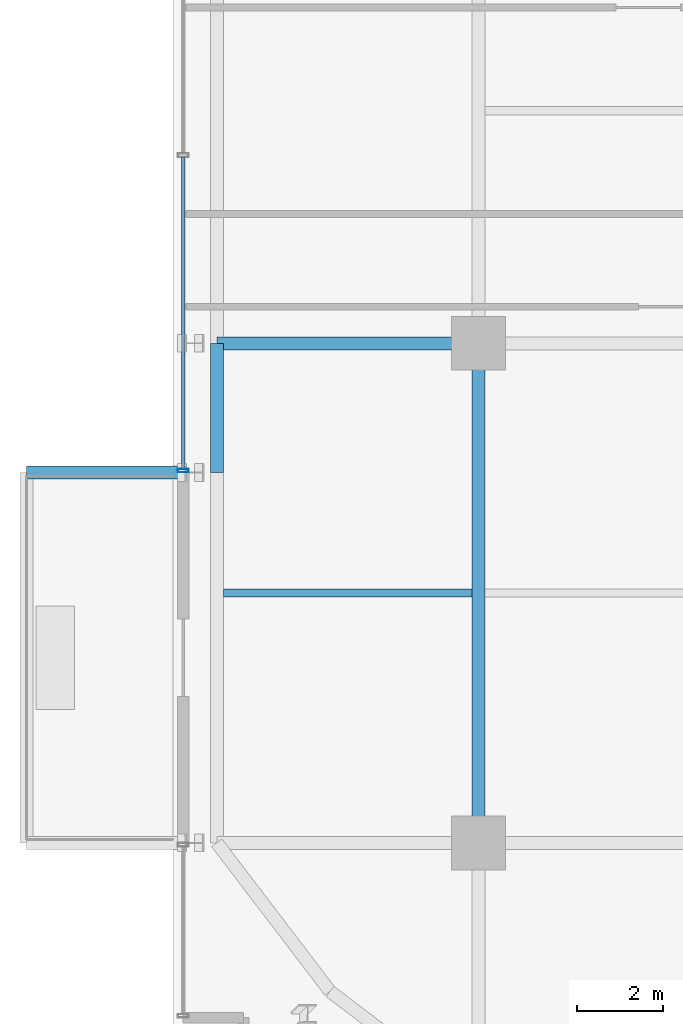
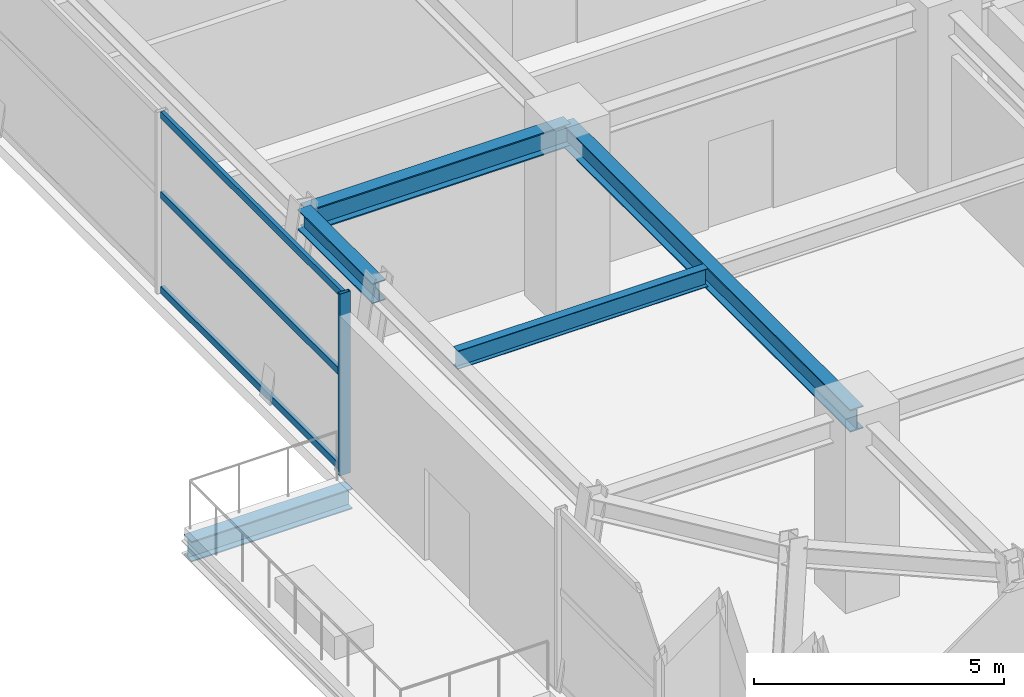
# One storey, part 5 of 26: 5 beams, 4 members, 1 element without a shape of its own.
"""IFC4 building model written with IfcOpenShell, lengths in metres."""

from ifc_helpers import new_model, si_unit, direction, frame, origin, origin_2d, place, context, subcontext, project, spatial, hollow_rectangle, i_section, extrude, source, transform, mapped, material, material_profile, profile_set, type_object, element, aggregate, save


model = new_model("IFC4")

# Units and contexts
model_context = context("Model", 3, precision=1e-05, world=origin(), true_north=direction((0.0, 1.0)))
body_context = subcontext(model_context, "Body", "Model", "MODEL_VIEW")
ifc_project = project(units=[si_unit("LENGTHUNIT", "METRE"), si_unit("AREAUNIT", "SQUARE_METRE"), si_unit("VOLUMEUNIT", "CUBIC_METRE"), si_unit("PLANEANGLEUNIT", "RADIAN"), si_unit("MASSUNIT", "GRAM", prefix="KILO")], contexts=[model_context])

# Site, building, storey
site_placement = place(None, origin())
site = spatial("IfcSite", under=ifc_project, at=site_placement, CompositionType="ELEMENT")
building_placement = place(site_placement, origin())
building = spatial("IfcBuilding", under=site, at=building_placement, Name="Nahalor Promenade Grand Hotel", CompositionType="ELEMENT")
storey_placement = place(building_placement, frame((0.0, 0.0, 139.39990234375)))
storey = spatial("IfcBuildingStorey", under=building, at=storey_placement, Name="L35", CompositionType="ELEMENT", Elevation=139.39990234375)

# Beams
ifc_material_1 = material(Name="Steel S355JR", Category="steel")
ifc_material_profile_1 = material_profile(ifc_material_1, i_section(OverallWidth=0.3, OverallDepth=0.5, WebThickness=0.0145, FlangeThickness=0.028, at=origin_2d()), Name="HEB 500")
ifc_profile_set_1 = profile_set([ifc_material_profile_1], Name="Steel S355JR")
beam_type_1 = type_object("IfcBeamType", Name="Beam-Outrigger-HEB500", PredefinedType="BEAM", material=ifc_profile_set_1)
shared_shape_1 = source(origin(), body_context, "Body", "SweptSolid", [
    extrude(i_section(OverallWidth=0.3, OverallDepth=0.5, WebThickness=0.0145, FlangeThickness=0.028, at=origin_2d()), origin(), (0.0, 0.0, 1.0), 3.719970703125),
])
beam_1_placement = place(storey_placement, frame((-27.5, -8.39990234375, -0.52978515625), z_axis=(1.0, 0.0, 0.0), x_axis=(0.0, 1.0, 0.0)))
element("IfcBeam", 1, at=beam_1_placement, inside=storey, type_object=beam_type_1, Name="BM-L35-BC-02-2", PredefinedType="BEAM", context=body_context, shape_type="MappedRepresentation", body=[
    mapped(shared_shape_1, transform((0.0, 0.0, 0.0), scale=1.0)),
])
ifc_material_profile_2 = material_profile(ifc_material_1, i_section(OverallWidth=0.3, OverallDepth=0.5, WebThickness=0.0145, FlangeThickness=0.028, at=origin_2d()), Name="HEB 500")
ifc_profile_set_2 = profile_set([ifc_material_profile_2], Name="Steel S355JR")
beam_type_2 = type_object("IfcBeamType", Name="Beam-Spandrel-HEB500", PredefinedType="SPANDREL", material=ifc_profile_set_2)
shared_shape_2 = source(origin(), body_context, "Body", "SweptSolid", [
    extrude(i_section(OverallWidth=0.3, OverallDepth=0.5, WebThickness=0.0145, FlangeThickness=0.028, at=origin_2d()), origin(), (0.0, 0.0, 1.0), 3.0),
])
beam_2_placement = place(storey_placement, frame((-23.080078125, -8.39990234375, 4.190185546875), z_axis=(0.0, 1.0, 0.0), x_axis=(-1.0, 0.0, 0.0)))
element("IfcBeam", 2, at=beam_2_placement, inside=storey, type_object=beam_type_2, Name="BM-L35-SP-W-1", PredefinedType="SPANDREL", context=body_context, shape_type="MappedRepresentation", body=[
    mapped(shared_shape_2, transform((0.0, 0.0, 0.0), scale=1.0)),
])
ifc_material_profile_3 = material_profile(ifc_material_1, i_section(OverallWidth=0.3, OverallDepth=0.55, WebThickness=0.015, FlangeThickness=0.029, at=origin_2d()), Name="HEB 550")
ifc_profile_set_3 = profile_set([ifc_material_profile_3], Name="Steel S355JR")
beam_type_3 = type_object("IfcBeamType", Name="Beam-Girder-HEB550", PredefinedType="BEAM", material=ifc_profile_set_3)
shared_shape_3 = source(origin(), body_context, "Body", "SweptSolid", [
    extrude(i_section(OverallWidth=0.3, OverallDepth=0.55, WebThickness=0.015, FlangeThickness=0.029, at=origin_2d()), origin(), (0.0, 0.0, 1.0), 11.60009765625),
])
beam_3_placement = place(storey_placement, frame((-17.0, -17.0, 4.1650390625), z_axis=(0.0, 1.0, 0.0), x_axis=(-1.0, 0.0, 0.0)))
element("IfcBeam", 3, at=beam_3_placement, inside=storey, type_object=beam_type_3, Name="BM-L35-GY-0-1", PredefinedType="BEAM", context=body_context, shape_type="MappedRepresentation", body=[
    mapped(shared_shape_3, transform((0.0, 0.0, 0.0), scale=1.0)),
])
shared_shape_4 = source(origin(), body_context, "Body", "SweptSolid", [
    extrude(i_section(OverallWidth=0.3, OverallDepth=0.55, WebThickness=0.015, FlangeThickness=0.029, at=origin_2d()), origin(), (0.0, 0.0, 1.0), 6.080078125),
])
beam_4_placement = place(storey_placement, frame((-23.080078125, -5.39990234375, 4.1650390625), z_axis=(1.0, 0.0, 0.0), x_axis=(0.0, 1.0, 0.0)))
element("IfcBeam", 4, at=beam_4_placement, inside=storey, type_object=beam_type_3, Name="BM-L35-GX-1-0", PredefinedType="BEAM", context=body_context, shape_type="MappedRepresentation", body=[
    mapped(shared_shape_4, transform((0.0, 0.0, 0.0), scale=1.0)),
])
ifc_material_profile_4 = material_profile(ifc_material_1, i_section(OverallWidth=0.19, OverallDepth=0.45, WebThickness=0.0094, FlangeThickness=0.0146, at=origin_2d()), Name="IPE 450")
ifc_profile_set_4 = profile_set([ifc_material_profile_4], Name="Steel S355JR")
beam_type_4 = type_object("IfcBeamType", Name="Beam-Joist-IPE450", PredefinedType="JOIST", material=ifc_profile_set_4)
shared_shape_5 = source(origin(), body_context, "Body", "SweptSolid", [
    extrude(i_section(OverallWidth=0.19, OverallDepth=0.45, WebThickness=0.0094, FlangeThickness=0.0146, at=origin_2d()), origin(), (0.0, 0.0, 1.0), 5.780029296875),
])
beam_5_placement = place(storey_placement, frame((-22.929931640625, -11.199951171875, 4.215087890625), z_axis=(1.0, 0.0, 0.0), x_axis=(0.0, 1.0, 0.0)))
element("IfcBeam", 5, at=beam_5_placement, inside=storey, type_object=beam_type_4, Name="BM-L35-JSW-0-0", PredefinedType="JOIST", context=body_context, shape_type="MappedRepresentation", body=[
    mapped(shared_shape_5, transform((0.0, 0.0, 0.0), scale=1.0)),
])

# Curtain wall, members
ifc_material_2 = material(Name="Anodised Bronze Aluminium EN AW-6063 T6", Category="aluminium")
curtain_wall_type = type_object("IfcCurtainWallType", Name="CW5 Sky-Lobby & Observation Panoramic Curtain Wall", PredefinedType="USERDEFINED", material=ifc_material_2)
curtain_wall_placement = place(storey_placement, origin())
curtain_wall = element("IfcCurtainWall", 6, at=curtain_wall_placement, inside=storey, type_object=curtain_wall_type, Name="L35 Curtain Wall CW-L35-W-3", ObjectType="UNITISED_CURTAIN_WALL", PredefinedType="USERDEFINED")
ifc_material_profile_5 = material_profile(ifc_material_2, hollow_rectangle(XDim=0.085, YDim=0.25, WallThickness=0.006, at=origin_2d()), Name="CWM 85x250x6")
ifc_profile_set_5 = profile_set([ifc_material_profile_5], Name="Anodised Bronze Aluminium EN AW-6063 T6")
member_type_1 = type_object("IfcMemberType", Name="CWM5 Panoramic Deep Mullion 85x250", PredefinedType="MULLION", material=ifc_profile_set_5)
shared_shape_6 = source(origin(), body_context, "Body", "SweptSolid", [
    extrude(hollow_rectangle(XDim=0.085, YDim=0.25, WallThickness=0.006, at=origin_2d()), origin(), (0.0, 0.0, 1.0), 4.440185546875),
])
member_1_placement = place(storey_placement, frame((-23.860107421875, -8.357421875, 0.0), z_axis=(0.0, 0.0, 1.0), x_axis=(0.0, 1.0, 0.0)))
member_1 = element("IfcMember", 7, at=member_1_placement, type_object=member_type_1, Name="CW-L35-W-3 Mullion 0", PredefinedType="MULLION", context=body_context, shape_type="MappedRepresentation", body=[
    mapped(shared_shape_6, transform((0.0, 0.0, 0.0), scale=1.0)),
])
ifc_material_profile_6 = material_profile(ifc_material_2, hollow_rectangle(XDim=0.085, YDim=0.17, WallThickness=0.005, at=origin_2d()), Name="CWT 85x170x5")
ifc_profile_set_6 = profile_set([ifc_material_profile_6], Name="Anodised Bronze Aluminium EN AW-6063 T6")
member_type_2 = type_object("IfcMemberType", Name="CWT5 Panoramic Transom 85x170", PredefinedType="USERDEFINED", material=ifc_profile_set_6)
shared_shape_7 = source(origin(), body_context, "Body", "SweptSolid", [
    extrude(hollow_rectangle(XDim=0.085, YDim=0.17, WallThickness=0.005, at=origin_2d()), origin(), (0.0, 0.0, 1.0), 7.237548828125),
])
member_2_placement = place(storey_placement, frame((-23.860107421875, -8.31494140625, 0.085205078125), z_axis=(0.0, 1.0, 0.0), x_axis=(-1.0, 0.0, 0.0)))
member_2 = element("IfcMember", 8, at=member_2_placement, type_object=member_type_2, Name="CW-L35-W-3 Transom 0-0", ObjectType="TRANSOM", PredefinedType="USERDEFINED", context=body_context, shape_type="MappedRepresentation", body=[
    mapped(shared_shape_7, transform((0.0, 0.0, 0.0), scale=1.0)),
])
member_3_placement = place(storey_placement, frame((-23.860107421875, -8.31494140625, 2.400146484375), z_axis=(0.0, 1.0, 0.0), x_axis=(-1.0, 0.0, 0.0)))
member_3 = element("IfcMember", 9, at=member_3_placement, type_object=member_type_2, Name="CW-L35-W-3 Transom 0-1", ObjectType="TRANSOM", PredefinedType="USERDEFINED", context=body_context, shape_type="MappedRepresentation", body=[
    mapped(shared_shape_7, transform((0.0, 0.0, 0.0), scale=1.0)),
])
member_4_placement = place(storey_placement, frame((-23.860107421875, -8.31494140625, 4.35498046875), z_axis=(0.0, 1.0, 0.0), x_axis=(-1.0, 0.0, 0.0)))
member_4 = element("IfcMember", 10, at=member_4_placement, type_object=member_type_2, Name="CW-L35-W-3 Transom 0-2", ObjectType="TRANSOM", PredefinedType="USERDEFINED", context=body_context, shape_type="MappedRepresentation", body=[
    mapped(shared_shape_7, transform((0.0, 0.0, 0.0), scale=1.0)),
])
aggregate(curtain_wall, [member_1, member_2, member_3, member_4])

save(model, "model.ifc")
